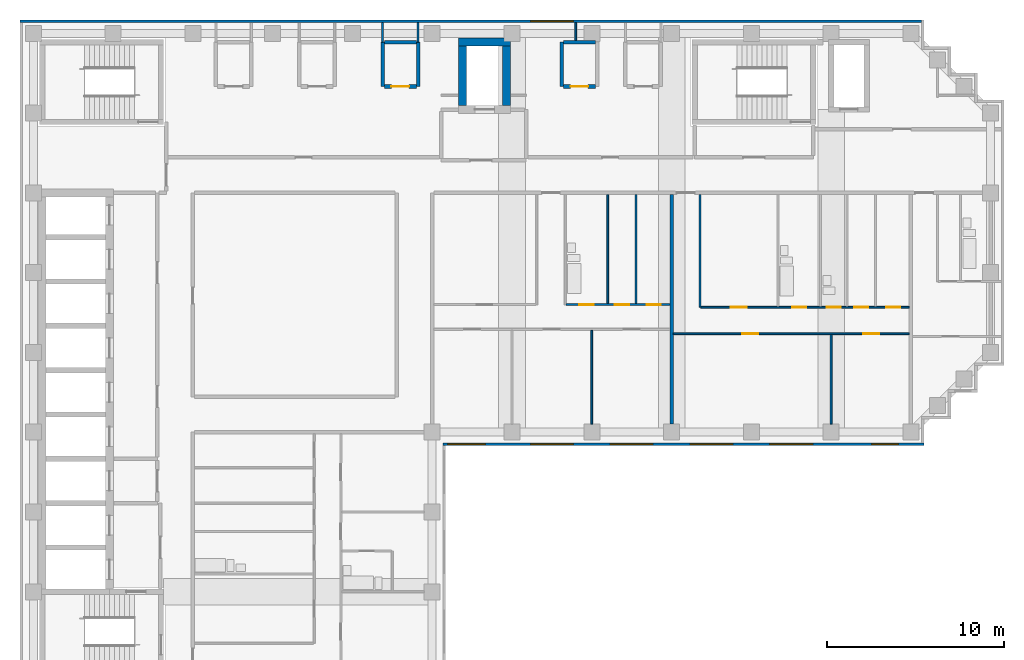
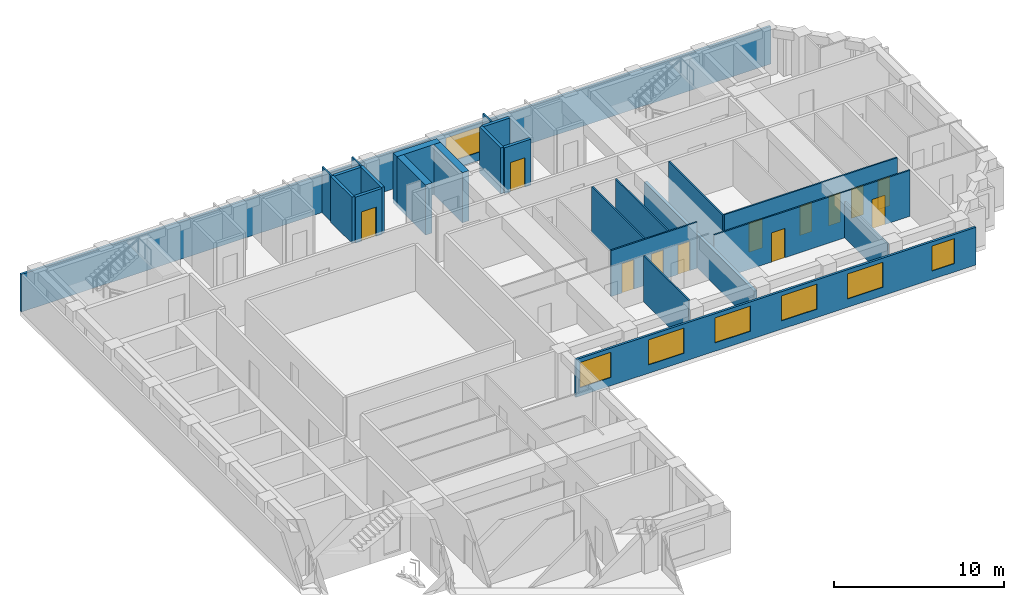
# One storey, part 6 of 10: 24 walls, 12 doors, 7 windows, 19 openings.
"""IFC4 building model written with IfcOpenShell, lengths in metres."""

from ifc_helpers import new_model, si_unit, direction, frame, frame_2d, origin, place, context, subcontext, project, spatial, rectangle, extrude, material, layer, layer_set, type_object, element, fill, save


model = new_model("IFC4")

# Units and contexts
model_context = context("Model", 3, precision=1e-05, world=origin(), true_north=direction((0.0, 1.0)))
body_context = subcontext(model_context, "Body", "Model", "MODEL_VIEW")
ifc_project = project(units=[si_unit("LENGTHUNIT", "METRE"), si_unit("AREAUNIT", "SQUARE_METRE"), si_unit("VOLUMEUNIT", "CUBIC_METRE"), si_unit("PLANEANGLEUNIT", "RADIAN"), si_unit("MASSUNIT", "GRAM", prefix="KILO")], contexts=[model_context])

# Site, building, storey
site_placement = place(None, origin())
site = spatial("IfcSite", under=ifc_project, at=site_placement, CompositionType="ELEMENT")
building_placement = place(site_placement, origin())
building = spatial("IfcBuilding", under=site, at=building_placement, Name="Firuza Court", CompositionType="ELEMENT")
storey_placement = place(building_placement, frame((0.0, 0.0, 189.800048828125)))
storey = spatial("IfcBuildingStorey", under=building, at=storey_placement, Name="L48", CompositionType="ELEMENT", Elevation=189.800048828125)

# Walls
ifc_material_1 = material(Name="Moisture-resistant gypsum board partition")
ifc_layer_1 = layer(ifc_material_1, 0.10009765625)
ifc_layer_set_1 = layer_set([ifc_layer_1], Name="Moisture-resistant gypsum board partition")
wall_type_1 = type_object("IfcWallType", Name="Bathroom partition 100", PredefinedType="PLUMBINGWALL", material=ifc_layer_set_1)
wall_1_placement = place(storey_placement, frame((32.39990234375, 43.25, 0.0), z_axis=(0.0, 0.0, 1.0), x_axis=(0.0, 1.0, 0.0)))
element("IfcWall", 1, at=wall_1_placement, inside=storey, type_object=wall_type_1, Name="Bathroom partition 100 L48", PredefinedType="PLUMBINGWALL", context=body_context, shape_type="SweptSolid", body=[
    extrude(rectangle(XDim=6.14990234375, YDim=0.10009765625, at=frame_2d((3.074951171875, 0.0))), origin(), (0.0, 0.0, 1.0), 3.300048828125),
])
ifc_material_2 = material(Name="Concrete C50/60", Category="concrete")
ifc_layer_2 = layer(ifc_material_2, 0.449951171875)
ifc_layer_set_2 = layer_set([ifc_layer_2], Name="Concrete C50/60")
wall_type_2 = type_object("IfcWallType", Name="Core wall 450 C50/60", PredefinedType="SHEAR", material=ifc_layer_set_2)
wall_2_placement = place(storey_placement, frame((23.97509765625, 58.0, -0.300048828125), z_axis=(0.0, 0.0, 1.0), x_axis=(1.0, 0.0, 0.0)))
element("IfcWall", 2, at=wall_2_placement, inside=storey, type_object=wall_type_2, Name="Core wall lift shaft L48", PredefinedType="SHEAR", context=body_context, shape_type="SweptSolid", body=[
    extrude(rectangle(XDim=2.949951171875, YDim=0.449951171875, at=frame_2d((1.47509765625, 0.0))), origin(), (0.0, 0.0, 1.0), 3.60009765625),
])
for number, where, z_axis, x_axis, name in (
    (3, (24.199951171875, 54.425048828125, -0.300048828125), (0.0, 0.0, 1.0), (0.0, 1.0, 0.0), "Core wall lift shaft L48"),
    (4, (26.699951171875, 54.425048828125, -0.300048828125), (0.0, 0.0, 1.0), (0.0, 1.0, 0.0), "Core wall lift shaft L48"),
):
    element("IfcWall", number, at=place(storey_placement, frame(where, z_axis=z_axis, x_axis=x_axis)), inside=storey, type_object=wall_type_2, Name=name, PredefinedType="SHEAR", context=body_context, shape_type="SweptSolid", body=[
        extrude(rectangle(XDim=3.349853515625, YDim=0.449951171875, at=frame_2d((1.6748046875, 0.0))), origin(), (0.0, 0.0, 1.0), 3.60009765625),
    ])
ifc_material_3 = material(Name="Timber stud partition, plasterboard both sides", Category="wood")
ifc_layer_3 = layer(ifc_material_3, 0.10009765625)
ifc_layer_set_3 = layer_set([ifc_layer_3], Name="Timber stud partition, plasterboard both sides")
wall_type_3 = type_object("IfcWallType", Name="Partition wall 100", PredefinedType="PARTITIONING", material=ifc_layer_set_3)
wall_3_placement = place(storey_placement, frame((31.5, 36.449951171875, 0.0), z_axis=(0.0, 0.0, 1.0), x_axis=(0.0, 1.0, 0.0)))
element("IfcWall", 5, at=wall_3_placement, inside=storey, type_object=wall_type_3, Name="Partition wall 100 L48", PredefinedType="PARTITIONING", context=body_context, shape_type="SweptSolid", body=[
    extrude(rectangle(XDim=5.300048828125, YDim=0.10009765625, at=frame_2d((2.64990234375, 0.0))), origin(), (0.0, 0.0, 1.0), 3.300048828125),
])
wall_4_placement = place(storey_placement, frame((45.0, 36.449951171875, 0.0), z_axis=(0.0, 0.0, 1.0), x_axis=(0.0, 1.0, 0.0)))
element("IfcWall", 6, at=wall_4_placement, inside=storey, type_object=wall_type_3, Name="Partition wall 100 L48", PredefinedType="PARTITIONING", context=body_context, shape_type="SweptSolid", body=[
    extrude(rectangle(XDim=5.050048828125, YDim=0.10009765625, at=frame_2d((2.52490234375, 0.0))), origin(), (0.0, 0.0, 1.0), 2.599853515625),
])

# Wall, openings, doors
wall_5_placement = place(storey_placement, frame((36.10009765625, 41.550048828125, 0.0), z_axis=(0.0, 0.0, 1.0), x_axis=(1.0, 0.0, 0.0)))
wall_5 = element("IfcWall", 7, at=wall_5_placement, inside=storey, type_object=wall_type_3, Name="Partition wall 100 L48", PredefinedType="PARTITIONING", context=body_context, shape_type="SweptSolid", body=[
    extrude(rectangle(XDim=13.2998046875, YDim=0.10009765625, at=frame_2d((6.64990234375, 0.0))), origin(), (0.0, 0.0, 1.0), 3.300048828125),
])
opening_1_placement = place(wall_5_placement, frame((3.89990234375, 0.0, 0.0)))
opening_1 = element("IfcOpeningElement", 8, at=opening_1_placement, cuts=wall_5, Name="Opening D48039", PredefinedType="OPENING", context=body_context, shape_type="SweptSolid", body=[
    extrude(rectangle(XDim=0.89990234375, YDim=2.10009765625, at=frame_2d((0.449951171875, 1.050048828125))), frame((0.0, 0.06201171875, 0.0), z_axis=(0.0, -1.0, 0.0), x_axis=(1.0, 0.0, 0.0)), (0.0, 0.0, 1.0), 0.1240234375),
])
opening_2_placement = place(wall_5_placement, frame((10.699951171875, 0.0, 0.0)))
opening_2 = element("IfcOpeningElement", 9, at=opening_2_placement, cuts=wall_5, Name="Opening D48040", PredefinedType="OPENING", context=body_context, shape_type="SweptSolid", body=[
    extrude(rectangle(XDim=0.89990234375, YDim=2.10009765625, at=frame_2d((0.449951171875, 1.050048828125))), frame((0.0, 0.06201171875, 0.0), z_axis=(0.0, -1.0, 0.0), x_axis=(1.0, 0.0, 0.0)), (0.0, 0.0, 1.0), 0.1240234375),
])
ifc_material_4 = material(Name="Timber door leaf in hardwood frame", Category="wood")
door_type_1 = type_object("IfcDoorType", Name="Room door 900", OperationType="SINGLE_SWING_LEFT", PredefinedType="DOOR", material=ifc_material_4)
door_1_placement = place(opening_1_placement, frame((0.89990234375, 0.0, 0.0), z_axis=(0.0, 0.0, 1.0), x_axis=(-1.0, 0.0, 0.0)))
door_1 = element("IfcDoor", 10, at=door_1_placement, inside=storey, type_object=door_type_1, Name="Living room door", OperationType="SINGLE_SWING_RIGHT", OverallHeight=2.10009765625, OverallWidth=0.89990234375, PredefinedType="DOOR", context=body_context, shape_type="SweptSolid", body=[
    extrude(rectangle(XDim=0.89990234375, YDim=2.10009765625, at=frame_2d((0.449951171875, 1.050048828125))), frame((0.0, 0.02490234375, 0.0), z_axis=(0.0, -1.0, 0.0), x_axis=(1.0, 0.0, 0.0)), (0.0, 0.0, 1.0), 0.050048828125),
])
fill(opening_1, door_1)
door_2_placement = place(opening_2_placement, frame((0.89990234375, 0.0, 0.0), z_axis=(0.0, 0.0, 1.0), x_axis=(-1.0, 0.0, 0.0)))
door_2 = element("IfcDoor", 11, at=door_2_placement, inside=storey, type_object=door_type_1, Name="Bedroom door", OperationType="SINGLE_SWING_RIGHT", OverallHeight=2.10009765625, OverallWidth=0.89990234375, PredefinedType="DOOR", context=body_context, shape_type="SweptSolid", body=[
    extrude(rectangle(XDim=0.89990234375, YDim=2.10009765625, at=frame_2d((0.449951171875, 1.050048828125))), frame((0.0, 0.02490234375, 0.0), z_axis=(0.0, -1.0, 0.0), x_axis=(1.0, 0.0, 0.0)), (0.0, 0.0, 1.0), 0.050048828125),
])
fill(opening_2, door_2)

# Wall
wall_6_placement = place(storey_placement, frame((37.60009765625, 43.050048828125, 0.0), z_axis=(0.0, 0.0, 1.0), x_axis=(0.0, 1.0, 0.0)))
element("IfcWall", 12, at=wall_6_placement, inside=storey, type_object=wall_type_3, Name="Partition wall 100 L48", PredefinedType="PARTITIONING", context=body_context, shape_type="SweptSolid", body=[
    extrude(rectangle(XDim=6.349853515625, YDim=0.10009765625, at=frame_2d((3.1748046875, 0.0))), origin(), (0.0, 0.0, 1.0), 3.300048828125),
])

# Wall, openings, doors
wall_7_placement = place(storey_placement, frame((37.64990234375, 43.050048828125, 0.0), z_axis=(0.0, 0.0, 1.0), x_axis=(1.0, 0.0, 0.0)))
wall_7 = element("IfcWall", 13, at=wall_7_placement, inside=storey, type_object=wall_type_3, Name="Partition wall 100 L48", PredefinedType="PARTITIONING", context=body_context, shape_type="SweptSolid", body=[
    extrude(rectangle(XDim=11.75, YDim=0.10009765625, at=frame_2d((5.875, 0.0))), origin(), (0.0, 0.0, 1.0), 3.300048828125),
])
opening_3_placement = place(wall_7_placement, frame((5.14990234375, 0.0, 0.0)))
opening_3 = element("IfcOpeningElement", 14, at=opening_3_placement, cuts=wall_7, Name="Opening D48044", PredefinedType="OPENING", context=body_context, shape_type="SweptSolid", body=[
    extrude(rectangle(XDim=0.800048828125, YDim=2.10009765625, at=frame_2d((0.39990234375, 1.050048828125))), frame((0.0, 0.06201171875, 0.0), z_axis=(0.0, -1.0, 0.0), x_axis=(1.0, 0.0, 0.0)), (0.0, 0.0, 1.0), 0.1240234375),
])
opening_4_placement = place(wall_7_placement, frame((1.699951171875, 0.0, 0.0)))
opening_4 = element("IfcOpeningElement", 15, at=opening_4_placement, cuts=wall_7, Name="Opening D48045", PredefinedType="OPENING", context=body_context, shape_type="SweptSolid", body=[
    extrude(rectangle(XDim=0.89990234375, YDim=2.10009765625, at=frame_2d((0.449951171875, 1.050048828125))), frame((0.0, 0.06201171875, 0.0), z_axis=(0.0, -1.0, 0.0), x_axis=(1.0, 0.0, 0.0)), (0.0, 0.0, 1.0), 0.1240234375),
])
opening_5_placement = place(wall_7_placement, frame((8.64990234375, 0.0, 0.0)))
opening_5 = element("IfcOpeningElement", 16, at=opening_5_placement, cuts=wall_7, Name="Opening D48046", PredefinedType="OPENING", context=body_context, shape_type="SweptSolid", body=[
    extrude(rectangle(XDim=0.800048828125, YDim=2.10009765625, at=frame_2d((0.39990234375, 1.050048828125))), frame((0.0, 0.06201171875, 0.0), z_axis=(0.0, -1.0, 0.0), x_axis=(1.0, 0.0, 0.0)), (0.0, 0.0, 1.0), 0.1240234375),
])
opening_6_placement = place(wall_7_placement, frame((10.449951171875, 0.0, 0.0)))
opening_6 = element("IfcOpeningElement", 17, at=opening_6_placement, cuts=wall_7, Name="Opening D48047", PredefinedType="OPENING", context=body_context, shape_type="SweptSolid", body=[
    extrude(rectangle(XDim=0.800048828125, YDim=2.10009765625, at=frame_2d((0.39990234375, 1.050048828125))), frame((0.0, 0.06201171875, 0.0), z_axis=(0.0, -1.0, 0.0), x_axis=(1.0, 0.0, 0.0)), (0.0, 0.0, 1.0), 0.1240234375),
])
opening_7_placement = place(wall_7_placement, frame((7.10009765625, 0.0, 0.0)))
opening_7 = element("IfcOpeningElement", 18, at=opening_7_placement, cuts=wall_7, Name="Opening D48048", PredefinedType="OPENING", context=body_context, shape_type="SweptSolid", body=[
    extrude(rectangle(XDim=0.800048828125, YDim=2.10009765625, at=frame_2d((0.39990234375, 1.050048828125))), frame((0.0, 0.06201171875, 0.0), z_axis=(0.0, -1.0, 0.0), x_axis=(1.0, 0.0, 0.0)), (0.0, 0.0, 1.0), 0.1240234375),
])
ifc_material_5 = material(Name="Timber door leaf in hardwood frame", Category="wood")
door_type_2 = type_object("IfcDoorType", Name="Bathroom door 800", OperationType="SINGLE_SWING_LEFT", PredefinedType="DOOR", material=ifc_material_5)
door_3_placement = place(opening_3_placement, origin())
door_3 = element("IfcDoor", 19, at=door_3_placement, inside=storey, type_object=door_type_2, Name="Bathroom door", OperationType="SINGLE_SWING_LEFT", OverallHeight=2.10009765625, OverallWidth=0.800048828125, PredefinedType="DOOR", context=body_context, shape_type="SweptSolid", body=[
    extrude(rectangle(XDim=0.800048828125, YDim=2.10009765625, at=frame_2d((0.39990234375, 1.050048828125))), frame((0.0, 0.02490234375, 0.0), z_axis=(0.0, -1.0, 0.0), x_axis=(1.0, 0.0, 0.0)), (0.0, 0.0, 1.0), 0.050048828125),
])
fill(opening_3, door_3)
door_4_placement = place(opening_7_placement, origin())
door_4 = element("IfcDoor", 20, at=door_4_placement, inside=storey, type_object=door_type_2, Name="Powder room door", OperationType="SINGLE_SWING_LEFT", OverallHeight=2.10009765625, OverallWidth=0.800048828125, PredefinedType="DOOR", context=body_context, shape_type="SweptSolid", body=[
    extrude(rectangle(XDim=0.800048828125, YDim=2.10009765625, at=frame_2d((0.39990234375, 1.050048828125))), frame((0.0, 0.02490234375, 0.0), z_axis=(0.0, -1.0, 0.0), x_axis=(1.0, 0.0, 0.0)), (0.0, 0.0, 1.0), 0.050048828125),
])
fill(opening_7, door_4)
ifc_material_6 = material(Name="Timber door leaf in hardwood frame", Category="wood")
door_type_3 = type_object("IfcDoorType", Name="Room door 800", OperationType="SINGLE_SWING_LEFT", PredefinedType="DOOR", material=ifc_material_6)
door_5_placement = place(opening_5_placement, origin())
door_5 = element("IfcDoor", 21, at=door_5_placement, inside=storey, type_object=door_type_3, Name="Store door", OperationType="SINGLE_SWING_LEFT", OverallHeight=2.10009765625, OverallWidth=0.800048828125, PredefinedType="DOOR", context=body_context, shape_type="SweptSolid", body=[
    extrude(rectangle(XDim=0.800048828125, YDim=2.10009765625, at=frame_2d((0.39990234375, 1.050048828125))), frame((0.0, 0.02490234375, 0.0), z_axis=(0.0, -1.0, 0.0), x_axis=(1.0, 0.0, 0.0)), (0.0, 0.0, 1.0), 0.050048828125),
])
fill(opening_5, door_5)
door_6_placement = place(opening_6_placement, origin())
door_6 = element("IfcDoor", 22, at=door_6_placement, inside=storey, type_object=door_type_3, Name="Utility room door", OperationType="SINGLE_SWING_LEFT", OverallHeight=2.10009765625, OverallWidth=0.800048828125, PredefinedType="DOOR", context=body_context, shape_type="SweptSolid", body=[
    extrude(rectangle(XDim=0.800048828125, YDim=2.10009765625, at=frame_2d((0.39990234375, 1.050048828125))), frame((0.0, 0.02490234375, 0.0), z_axis=(0.0, -1.0, 0.0), x_axis=(1.0, 0.0, 0.0)), (0.0, 0.0, 1.0), 0.050048828125),
])
fill(opening_6, door_6)
door_7_placement = place(opening_4_placement, origin())
door_7 = element("IfcDoor", 23, at=door_7_placement, inside=storey, type_object=door_type_1, Name="Kitchen door", OperationType="SINGLE_SWING_LEFT", OverallHeight=2.10009765625, OverallWidth=0.89990234375, PredefinedType="DOOR", context=body_context, shape_type="SweptSolid", body=[
    extrude(rectangle(XDim=0.89990234375, YDim=2.10009765625, at=frame_2d((0.449951171875, 1.050048828125))), frame((0.0, 0.02490234375, 0.0), z_axis=(0.0, -1.0, 0.0), x_axis=(1.0, 0.0, 0.0)), (0.0, 0.0, 1.0), 0.050048828125),
])
fill(opening_4, door_7)

wall_8_placement = place(storey_placement, frame((30.050048828125, 43.199951171875, 0.0), z_axis=(0.0, 0.0, 1.0), x_axis=(1.0, 0.0, 0.0)))
wall_8 = element("IfcWall", 24, at=wall_8_placement, inside=storey, type_object=wall_type_3, Name="Partition wall 100 L48", PredefinedType="PARTITIONING", context=body_context, shape_type="SweptSolid", body=[
    extrude(rectangle(XDim=5.849853515625, YDim=0.10009765625, at=frame_2d((2.9248046875, 0.0))), origin(), (0.0, 0.0, 1.0), 3.300048828125),
])
opening_8_placement = place(wall_8_placement, frame((0.75, 0.0, 0.0)))
opening_8 = element("IfcOpeningElement", 25, at=opening_8_placement, cuts=wall_8, Name="Opening D48050", PredefinedType="OPENING", context=body_context, shape_type="SweptSolid", body=[
    extrude(rectangle(XDim=0.800048828125, YDim=2.10009765625, at=frame_2d((0.39990234375, 1.050048828125))), frame((0.0, 0.06201171875, 0.0), z_axis=(0.0, -1.0, 0.0), x_axis=(1.0, 0.0, 0.0)), (0.0, 0.0, 1.0), 0.1240234375),
])
opening_9_placement = place(wall_8_placement, frame((2.75, 0.0, 0.0)))
opening_9 = element("IfcOpeningElement", 26, at=opening_9_placement, cuts=wall_8, Name="Opening D48051", PredefinedType="OPENING", context=body_context, shape_type="SweptSolid", body=[
    extrude(rectangle(XDim=0.800048828125, YDim=2.10009765625, at=frame_2d((0.39990234375, 1.050048828125))), frame((0.0, 0.06201171875, 0.0), z_axis=(0.0, -1.0, 0.0), x_axis=(1.0, 0.0, 0.0)), (0.0, 0.0, 1.0), 0.1240234375),
])
opening_10_placement = place(wall_8_placement, frame((4.550048828125, 0.0, 0.0)))
opening_10 = element("IfcOpeningElement", 27, at=opening_10_placement, cuts=wall_8, Name="Opening D48052", PredefinedType="OPENING", context=body_context, shape_type="SweptSolid", body=[
    extrude(rectangle(XDim=0.800048828125, YDim=2.10009765625, at=frame_2d((0.39990234375, 1.050048828125))), frame((0.0, 0.06201171875, 0.0), z_axis=(0.0, -1.0, 0.0), x_axis=(1.0, 0.0, 0.0)), (0.0, 0.0, 1.0), 0.1240234375),
])
door_8_placement = place(opening_8_placement, origin())
door_8 = element("IfcDoor", 28, at=door_8_placement, inside=storey, type_object=door_type_2, Name="Bathroom door", OperationType="SINGLE_SWING_LEFT", OverallHeight=2.10009765625, OverallWidth=0.800048828125, PredefinedType="DOOR", context=body_context, shape_type="SweptSolid", body=[
    extrude(rectangle(XDim=0.800048828125, YDim=2.10009765625, at=frame_2d((0.39990234375, 1.050048828125))), frame((0.0, 0.02490234375, 0.0), z_axis=(0.0, -1.0, 0.0), x_axis=(1.0, 0.0, 0.0)), (0.0, 0.0, 1.0), 0.050048828125),
])
fill(opening_8, door_8)
door_9_placement = place(opening_9_placement, origin())
door_9 = element("IfcDoor", 29, at=door_9_placement, inside=storey, type_object=door_type_3, Name="Store door", OperationType="SINGLE_SWING_LEFT", OverallHeight=2.10009765625, OverallWidth=0.800048828125, PredefinedType="DOOR", context=body_context, shape_type="SweptSolid", body=[
    extrude(rectangle(XDim=0.800048828125, YDim=2.10009765625, at=frame_2d((0.39990234375, 1.050048828125))), frame((0.0, 0.02490234375, 0.0), z_axis=(0.0, -1.0, 0.0), x_axis=(1.0, 0.0, 0.0)), (0.0, 0.0, 1.0), 0.050048828125),
])
fill(opening_9, door_9)
door_10_placement = place(opening_10_placement, origin())
door_10 = element("IfcDoor", 30, at=door_10_placement, inside=storey, type_object=door_type_3, Name="Utility room door", OperationType="SINGLE_SWING_LEFT", OverallHeight=2.10009765625, OverallWidth=0.800048828125, PredefinedType="DOOR", context=body_context, shape_type="SweptSolid", body=[
    extrude(rectangle(XDim=0.800048828125, YDim=2.10009765625, at=frame_2d((0.39990234375, 1.050048828125))), frame((0.0, 0.02490234375, 0.0), z_axis=(0.0, -1.0, 0.0), x_axis=(1.0, 0.0, 0.0)), (0.0, 0.0, 1.0), 0.050048828125),
])
fill(opening_10, door_10)

# Walls
wall_9_placement = place(storey_placement, frame((34.0, 43.25, 0.0), z_axis=(0.0, 0.0, 1.0), x_axis=(0.0, 1.0, 0.0)))
element("IfcWall", 31, at=wall_9_placement, inside=storey, type_object=wall_type_3, Name="Partition wall 100 L48", PredefinedType="PARTITIONING", context=body_context, shape_type="SweptSolid", body=[
    extrude(rectangle(XDim=6.14990234375, YDim=0.10009765625, at=frame_2d((3.074951171875, 0.0))), origin(), (0.0, 0.0, 1.0), 3.300048828125),
])
for number, where, z_axis, x_axis, name in (
    (32, (19.699951171875, 58.0, 0.0), (0.0, 0.0, 1.0), (0.0, 1.0, 0.0), "Partition wall 100 L48"),
    (33, (21.699951171875, 58.0, 0.0), (0.0, 0.0, 1.0), (0.0, 1.0, 0.0), "Partition wall 100 L48"),
):
    element("IfcWall", number, at=place(storey_placement, frame(where, z_axis=z_axis, x_axis=x_axis)), inside=storey, type_object=wall_type_3, Name=name, PredefinedType="PARTITIONING", context=body_context, shape_type="SweptSolid", body=[
        extrude(rectangle(XDim=1.10009765625, YDim=0.10009765625, at=frame_2d((0.550048828125, 0.0))), origin(), (0.0, 0.0, 1.0), 3.300048828125),
    ])
wall_10_placement = place(storey_placement, frame((30.60009765625, 58.10009765625, 0.0), z_axis=(0.0, 0.0, 1.0), x_axis=(0.0, 1.0, 0.0)))
element("IfcWall", 34, at=wall_10_placement, inside=storey, type_object=wall_type_3, Name="Partition wall 100 L48", PredefinedType="PARTITIONING", context=body_context, shape_type="SweptSolid", body=[
    extrude(rectangle(XDim=1.0, YDim=0.10009765625, at=frame_2d((0.5, 0.0))), origin(), (0.0, 0.0, 1.0), 3.300048828125),
])
ifc_material_7 = material(Name="Blockwork, plastered both sides", Category="masonry")
ifc_layer_4 = layer(ifc_material_7, 0.199951171875)
ifc_layer_set_4 = layer_set([ifc_layer_4], Name="Blockwork, plastered both sides")
wall_type_4 = type_object("IfcWallType", Name="Party wall 200", PredefinedType="PARTITIONING", material=ifc_layer_set_4)
wall_11_placement = place(storey_placement, frame((36.0, 36.449951171875, 0.0), z_axis=(0.0, 0.0, 1.0), x_axis=(0.0, 1.0, 0.0)))
element("IfcWall", 35, at=wall_11_placement, inside=storey, type_object=wall_type_4, Name="Party wall 200 L48", PredefinedType="PARTITIONING", context=body_context, shape_type="SweptSolid", body=[
    extrude(rectangle(XDim=12.949951171875, YDim=0.199951171875, at=frame_2d((6.47509765625, 0.0))), origin(), (0.0, 0.0, 1.0), 2.39990234375),
])
ifc_material_8 = material(Name="Blockwork, fire-rated", Category="masonry")
ifc_layer_5 = layer(ifc_material_8, 0.199951171875)
ifc_layer_set_5 = layer_set([ifc_layer_5], Name="Blockwork, fire-rated")
wall_type_5 = type_object("IfcWallType", Name="Plant room wall 200", PredefinedType="PARTITIONING", material=ifc_layer_set_5)
wall_12_placement = place(storey_placement, frame((19.699951171875, 55.5, 0.0), z_axis=(0.0, 0.0, 1.0), x_axis=(0.0, 1.0, 0.0)))
element("IfcWall", 36, at=wall_12_placement, inside=storey, type_object=wall_type_5, Name="Plant room wall 200 L48", PredefinedType="PARTITIONING", context=body_context, shape_type="SweptSolid", body=[
    extrude(rectangle(XDim=2.5, YDim=0.199951171875, at=frame_2d((1.25, 0.0))), origin(), (0.0, 0.0, 1.0), 3.300048828125),
])

# Wall, opening, door
wall_13_placement = place(storey_placement, frame((19.800048828125, 55.5, 0.0), z_axis=(0.0, 0.0, 1.0), x_axis=(1.0, 0.0, 0.0)))
wall_13 = element("IfcWall", 37, at=wall_13_placement, inside=storey, type_object=wall_type_5, Name="Plant room wall 200 L48", PredefinedType="PARTITIONING", context=body_context, shape_type="SweptSolid", body=[
    extrude(rectangle(XDim=1.800048828125, YDim=0.199951171875, at=frame_2d((0.89990234375, 0.0))), origin(), (0.0, 0.0, 1.0), 3.300048828125),
])
opening_11_placement = place(wall_13_placement, frame((0.39990234375, 0.0, 0.0)))
opening_11 = element("IfcOpeningElement", 38, at=opening_11_placement, cuts=wall_13, Name="Opening D48063", PredefinedType="OPENING", context=body_context, shape_type="SweptSolid", body=[
    extrude(rectangle(XDim=1.0, YDim=2.10009765625, at=frame_2d((0.5, 1.050048828125))), frame((0.0, 0.11181640625, 0.0), z_axis=(0.0, -1.0, 0.0), x_axis=(1.0, 0.0, 0.0)), (0.0, 0.0, 1.0), 0.223876953125),
])
ifc_material_9 = material(Name="Timber door leaf in hardwood frame", Category="wood")
door_type_4 = type_object("IfcDoorType", Name="Riser door 1000", OperationType="SINGLE_SWING_LEFT", PredefinedType="DOOR", material=ifc_material_9)
door_11_placement = place(opening_11_placement, origin())
door_11 = element("IfcDoor", 39, at=door_11_placement, inside=storey, type_object=door_type_4, Name="Duct riser door", OperationType="SINGLE_SWING_LEFT", OverallHeight=2.10009765625, OverallWidth=1.0, PredefinedType="DOOR", context=body_context, shape_type="SweptSolid", body=[
    extrude(rectangle(XDim=1.0, YDim=2.10009765625, at=frame_2d((0.5, 1.050048828125))), frame((0.0, 0.02490234375, 0.0), z_axis=(0.0, -1.0, 0.0), x_axis=(1.0, 0.0, 0.0)), (0.0, 0.0, 1.0), 0.050048828125),
])
fill(opening_11, door_11)

# Walls
for number, where, z_axis, x_axis, name in (
    (40, (21.699951171875, 55.5, 0.0), (0.0, 0.0, 1.0), (0.0, 1.0, 0.0), "Plant room wall 200 L48"),
    (41, (29.800048828125, 55.5, 0.0), (0.0, 0.0, 1.0), (0.0, 1.0, 0.0), "Plant room wall 200 L48"),
):
    element("IfcWall", number, at=place(storey_placement, frame(where, z_axis=z_axis, x_axis=x_axis)), inside=storey, type_object=wall_type_5, Name=name, PredefinedType="PARTITIONING", context=body_context, shape_type="SweptSolid", body=[
        extrude(rectangle(XDim=2.5, YDim=0.199951171875, at=frame_2d((1.25, 0.0))), origin(), (0.0, 0.0, 1.0), 3.300048828125),
    ])

# Wall, opening, door
wall_14_placement = place(storey_placement, frame((29.89990234375, 55.5, 0.0), z_axis=(0.0, 0.0, 1.0), x_axis=(1.0, 0.0, 0.0)))
wall_14 = element("IfcWall", 42, at=wall_14_placement, inside=storey, type_object=wall_type_5, Name="Plant room wall 200 L48", PredefinedType="PARTITIONING", context=body_context, shape_type="SweptSolid", body=[
    extrude(rectangle(XDim=1.800048828125, YDim=0.199951171875, at=frame_2d((0.89990234375, 0.0))), origin(), (0.0, 0.0, 1.0), 3.300048828125),
])
opening_12_placement = place(wall_14_placement, frame((0.39990234375, 0.0, 0.0)))
opening_12 = element("IfcOpeningElement", 43, at=opening_12_placement, cuts=wall_14, Name="Opening D48064", PredefinedType="OPENING", context=body_context, shape_type="SweptSolid", body=[
    extrude(rectangle(XDim=1.0, YDim=2.10009765625, at=frame_2d((0.5, 1.050048828125))), frame((0.0, 0.11181640625, 0.0), z_axis=(0.0, -1.0, 0.0), x_axis=(1.0, 0.0, 0.0)), (0.0, 0.0, 1.0), 0.223876953125),
])
door_12_placement = place(opening_12_placement, origin())
door_12 = element("IfcDoor", 44, at=door_12_placement, inside=storey, type_object=door_type_4, Name="Electrical riser door", OperationType="SINGLE_SWING_LEFT", OverallHeight=2.10009765625, OverallWidth=1.0, PredefinedType="DOOR", context=body_context, shape_type="SweptSolid", body=[
    extrude(rectangle(XDim=1.0, YDim=2.10009765625, at=frame_2d((0.5, 1.050048828125))), frame((0.0, 0.02490234375, 0.0), z_axis=(0.0, -1.0, 0.0), x_axis=(1.0, 0.0, 0.0)), (0.0, 0.0, 1.0), 0.050048828125),
])
fill(opening_12, door_12)

# Walls
for number, where, z_axis, x_axis, name in (
    (45, (19.800048828125, 58.0, 0.0), (0.0, 0.0, 1.0), (1.0, 0.0, 0.0), "Plant room wall 200 L48"),
    (46, (29.89990234375, 58.0, 0.0), (0.0, 0.0, 1.0), (1.0, 0.0, 0.0), "Plant room wall 200 L48"),
):
    element("IfcWall", number, at=place(storey_placement, frame(where, z_axis=z_axis, x_axis=x_axis)), inside=storey, type_object=wall_type_5, Name=name, PredefinedType="PARTITIONING", context=body_context, shape_type="SweptSolid", body=[
        extrude(rectangle(XDim=1.800048828125, YDim=0.199951171875, at=frame_2d((0.89990234375, 0.0))), origin(), (0.0, 0.0, 1.0), 3.300048828125),
    ])

# Wall, openings, windows
ifc_material_10 = material(Name="Ceramic tile", Category="ceramic")
ifc_layer_6 = layer(ifc_material_10, 0.02001953125)
ifc_material_11 = material(Name="Mineral wool insulation", Category="insulation")
ifc_layer_7 = layer(ifc_material_11, 0.050048828125)
ifc_material_12 = material(Name="Concrete C40/50 precast", Category="concrete")
ifc_layer_8 = layer(ifc_material_12, 0.080078125)
ifc_layer_set_6 = layer_set([ifc_layer_6, ifc_layer_7, ifc_layer_8], Name="Concrete C40/50 precast")
wall_type_6 = type_object("IfcWallType", Name="Precast cladding wall with turquoise TILE PANEL face 150", PredefinedType="STANDARD", material=ifc_layer_set_6)
wall_15_placement = place(storey_placement, frame((23.10009765625, 35.324951171875, 0.0), z_axis=(0.0, 0.0, 1.0), x_axis=(1.0, 0.0, 0.0)))
wall_15 = element("IfcWall", 47, at=wall_15_placement, inside=storey, type_object=wall_type_6, Name="Facade wall L48 S", PredefinedType="STANDARD", context=body_context, shape_type="SweptSolid", body=[
    extrude(rectangle(XDim=27.14990234375, YDim=0.14990234375, at=frame_2d((13.574951171875, 0.0))), origin(), (0.0, 0.0, 1.0), 2.699951171875),
])
opening_13_placement = place(wall_15_placement, frame((0.28515625, 0.0, 0.60009765625)))
opening_13 = element("IfcOpeningElement", 48, at=opening_13_placement, cuts=wall_15, Name="Opening W6", PredefinedType="OPENING", context=body_context, shape_type="SweptSolid", body=[
    extrude(rectangle(XDim=2.10009765625, YDim=1.800048828125, at=frame_2d((1.050048828125, 0.89990234375))), frame((0.0, 0.0869140625, 0.0), z_axis=(0.0, -1.0, 0.0), x_axis=(1.0, 0.0, 0.0)), (0.0, 0.0, 1.0), 0.173828125),
])
opening_14_placement = place(wall_15_placement, frame((4.949951171875, 0.0, 0.60009765625)))
opening_14 = element("IfcOpeningElement", 49, at=opening_14_placement, cuts=wall_15, Name="Opening W1", PredefinedType="OPENING", context=body_context, shape_type="SweptSolid", body=[
    extrude(rectangle(XDim=2.39990234375, YDim=1.800048828125, at=frame_2d((1.199951171875, 0.89990234375))), frame((0.0, 0.0869140625, 0.0), z_axis=(0.0, -1.0, 0.0), x_axis=(1.0, 0.0, 0.0)), (0.0, 0.0, 1.0), 0.173828125),
])
opening_15_placement = place(wall_15_placement, frame((9.449951171875, 0.0, 0.60009765625)))
opening_15 = element("IfcOpeningElement", 50, at=opening_15_placement, cuts=wall_15, Name="Opening W1", PredefinedType="OPENING", context=body_context, shape_type="SweptSolid", body=[
    extrude(rectangle(XDim=2.39990234375, YDim=1.800048828125, at=frame_2d((1.199951171875, 0.89990234375))), frame((0.0, 0.0869140625, 0.0), z_axis=(0.0, -1.0, 0.0), x_axis=(1.0, 0.0, 0.0)), (0.0, 0.0, 1.0), 0.173828125),
])
opening_16_placement = place(wall_15_placement, frame((13.949951171875, 0.0, 0.60009765625)))
opening_16 = element("IfcOpeningElement", 51, at=opening_16_placement, cuts=wall_15, Name="Opening W1", PredefinedType="OPENING", context=body_context, shape_type="SweptSolid", body=[
    extrude(rectangle(XDim=2.39990234375, YDim=1.800048828125, at=frame_2d((1.199951171875, 0.89990234375))), frame((0.0, 0.0869140625, 0.0), z_axis=(0.0, -1.0, 0.0), x_axis=(1.0, 0.0, 0.0)), (0.0, 0.0, 1.0), 0.173828125),
])
opening_17_placement = place(wall_15_placement, frame((18.449951171875, 0.0, 0.60009765625)))
opening_17 = element("IfcOpeningElement", 52, at=opening_17_placement, cuts=wall_15, Name="Opening W1", PredefinedType="OPENING", context=body_context, shape_type="SweptSolid", body=[
    extrude(rectangle(XDim=2.39990234375, YDim=1.800048828125, at=frame_2d((1.199951171875, 0.89990234375))), frame((0.0, 0.0869140625, 0.0), z_axis=(0.0, -1.0, 0.0), x_axis=(1.0, 0.0, 0.0)), (0.0, 0.0, 1.0), 0.173828125),
])
opening_18_placement = place(wall_15_placement, frame((24.179443359375, 0.0, 0.60009765625)))
opening_18 = element("IfcOpeningElement", 53, at=opening_18_placement, cuts=wall_15, Name="Opening W2", PredefinedType="OPENING", context=body_context, shape_type="SweptSolid", body=[
    extrude(rectangle(XDim=1.5, YDim=1.800048828125, at=frame_2d((0.75, 0.89990234375))), frame((0.0, 0.0869140625, 0.0), z_axis=(0.0, -1.0, 0.0), x_axis=(1.0, 0.0, 0.0)), (0.0, 0.0, 1.0), 0.173828125),
])
ifc_material_13 = material(Name="Aluminium frame, triple clear glazing", Category="aluminium")
window_type_1 = type_object("IfcWindowType", Name="Window W1 2400 x 1800", PartitioningType="SINGLE_PANEL", PredefinedType="WINDOW", material=ifc_material_13)
window_1_placement = place(opening_14_placement, origin())
window_1 = element("IfcWindow", 54, at=window_1_placement, inside=storey, type_object=window_type_1, Name="Window L48", OverallHeight=1.800048828125, OverallWidth=2.39990234375, PartitioningType="SINGLE_PANEL", PredefinedType="WINDOW", context=body_context, shape_type="SweptSolid", body=[
    extrude(rectangle(XDim=2.39990234375, YDim=1.800048828125, at=frame_2d((1.199951171875, 0.89990234375))), frame((0.0, 0.030029296875, 0.0), z_axis=(0.0, -1.0, 0.0), x_axis=(1.0, 0.0, 0.0)), (0.0, 0.0, 1.0), 0.06005859375),
])
fill(opening_14, window_1)
window_2_placement = place(opening_15_placement, origin())
window_2 = element("IfcWindow", 55, at=window_2_placement, inside=storey, type_object=window_type_1, Name="Window L48", OverallHeight=1.800048828125, OverallWidth=2.39990234375, PartitioningType="SINGLE_PANEL", PredefinedType="WINDOW", context=body_context, shape_type="SweptSolid", body=[
    extrude(rectangle(XDim=2.39990234375, YDim=1.800048828125, at=frame_2d((1.199951171875, 0.89990234375))), frame((0.0, 0.030029296875, 0.0), z_axis=(0.0, -1.0, 0.0), x_axis=(1.0, 0.0, 0.0)), (0.0, 0.0, 1.0), 0.06005859375),
])
fill(opening_15, window_2)
window_3_placement = place(opening_16_placement, origin())
window_3 = element("IfcWindow", 56, at=window_3_placement, inside=storey, type_object=window_type_1, Name="Window L48", OverallHeight=1.800048828125, OverallWidth=2.39990234375, PartitioningType="SINGLE_PANEL", PredefinedType="WINDOW", context=body_context, shape_type="SweptSolid", body=[
    extrude(rectangle(XDim=2.39990234375, YDim=1.800048828125, at=frame_2d((1.199951171875, 0.89990234375))), frame((0.0, 0.030029296875, 0.0), z_axis=(0.0, -1.0, 0.0), x_axis=(1.0, 0.0, 0.0)), (0.0, 0.0, 1.0), 0.06005859375),
])
fill(opening_16, window_3)
window_4_placement = place(opening_17_placement, origin())
window_4 = element("IfcWindow", 57, at=window_4_placement, inside=storey, type_object=window_type_1, Name="Window L48", OverallHeight=1.800048828125, OverallWidth=2.39990234375, PartitioningType="SINGLE_PANEL", PredefinedType="WINDOW", context=body_context, shape_type="SweptSolid", body=[
    extrude(rectangle(XDim=2.39990234375, YDim=1.800048828125, at=frame_2d((1.199951171875, 0.89990234375))), frame((0.0, 0.030029296875, 0.0), z_axis=(0.0, -1.0, 0.0), x_axis=(1.0, 0.0, 0.0)), (0.0, 0.0, 1.0), 0.06005859375),
])
fill(opening_17, window_4)
ifc_material_14 = material(Name="Aluminium frame, triple clear glazing", Category="aluminium")
window_type_2 = type_object("IfcWindowType", Name="Window W2 1500 x 1800", PartitioningType="SINGLE_PANEL", PredefinedType="WINDOW", material=ifc_material_14)
window_5_placement = place(opening_18_placement, origin())
window_5 = element("IfcWindow", 58, at=window_5_placement, inside=storey, type_object=window_type_2, Name="Window L48", OverallHeight=1.800048828125, OverallWidth=1.5, PartitioningType="SINGLE_PANEL", PredefinedType="WINDOW", context=body_context, shape_type="SweptSolid", body=[
    extrude(rectangle(XDim=1.5, YDim=1.800048828125, at=frame_2d((0.75, 0.89990234375))), frame((0.0, 0.030029296875, 0.0), z_axis=(0.0, -1.0, 0.0), x_axis=(1.0, 0.0, 0.0)), (0.0, 0.0, 1.0), 0.06005859375),
])
fill(opening_18, window_5)
ifc_material_15 = material(Name="Aluminium frame, triple clear glazing", Category="aluminium")
window_type_3 = type_object("IfcWindowType", Name="Window W6 2100 x 1800", PartitioningType="SINGLE_PANEL", PredefinedType="WINDOW", material=ifc_material_15)
window_6_placement = place(opening_13_placement, origin())
window_6 = element("IfcWindow", 59, at=window_6_placement, inside=storey, type_object=window_type_3, Name="Window L48", OverallHeight=1.800048828125, OverallWidth=2.10009765625, PartitioningType="SINGLE_PANEL", PredefinedType="WINDOW", context=body_context, shape_type="SweptSolid", body=[
    extrude(rectangle(XDim=2.10009765625, YDim=1.800048828125, at=frame_2d((1.050048828125, 0.89990234375))), frame((0.0, 0.030029296875, 0.0), z_axis=(0.0, -1.0, 0.0), x_axis=(1.0, 0.0, 0.0)), (0.0, 0.0, 1.0), 0.06005859375),
])
fill(opening_13, window_6)

# Wall, opening, window
wall_16_placement = place(storey_placement, frame((50.10009765625, 59.175048828125, 0.0), z_axis=(0.0, 0.0, 1.0), x_axis=(-1.0, 0.0, 0.0)))
wall_16 = element("IfcWall", 60, at=wall_16_placement, inside=storey, type_object=wall_type_6, Name="Facade wall L48 N", PredefinedType="STANDARD", context=body_context, shape_type="SweptSolid", body=[
    extrude(rectangle(XDim=50.85009765625, YDim=0.14990234375, at=frame_2d((25.425048828125, 0.0))), origin(), (0.0, 0.0, 1.0), 2.699951171875),
])
opening_19_placement = place(wall_16_placement, frame((19.64990234375, 0.0, 0.60009765625)))
opening_19 = element("IfcOpeningElement", 61, at=opening_19_placement, cuts=wall_16, Name="Opening W1", PredefinedType="OPENING", context=body_context, shape_type="SweptSolid", body=[
    extrude(rectangle(XDim=2.39990234375, YDim=1.800048828125, at=frame_2d((1.199951171875, 0.89990234375))), frame((0.0, 0.0869140625, 0.0), z_axis=(0.0, -1.0, 0.0), x_axis=(1.0, 0.0, 0.0)), (0.0, 0.0, 1.0), 0.173828125),
])
window_7_placement = place(opening_19_placement, origin())
window_7 = element("IfcWindow", 62, at=window_7_placement, inside=storey, type_object=window_type_1, Name="Window L48", OverallHeight=1.800048828125, OverallWidth=2.39990234375, PartitioningType="SINGLE_PANEL", PredefinedType="WINDOW", context=body_context, shape_type="SweptSolid", body=[
    extrude(rectangle(XDim=2.39990234375, YDim=1.800048828125, at=frame_2d((1.199951171875, 0.89990234375))), frame((0.0, 0.030029296875, 0.0), z_axis=(0.0, -1.0, 0.0), x_axis=(1.0, 0.0, 0.0)), (0.0, 0.0, 1.0), 0.06005859375),
])
fill(opening_19, window_7)

save(model, "model.ifc")
